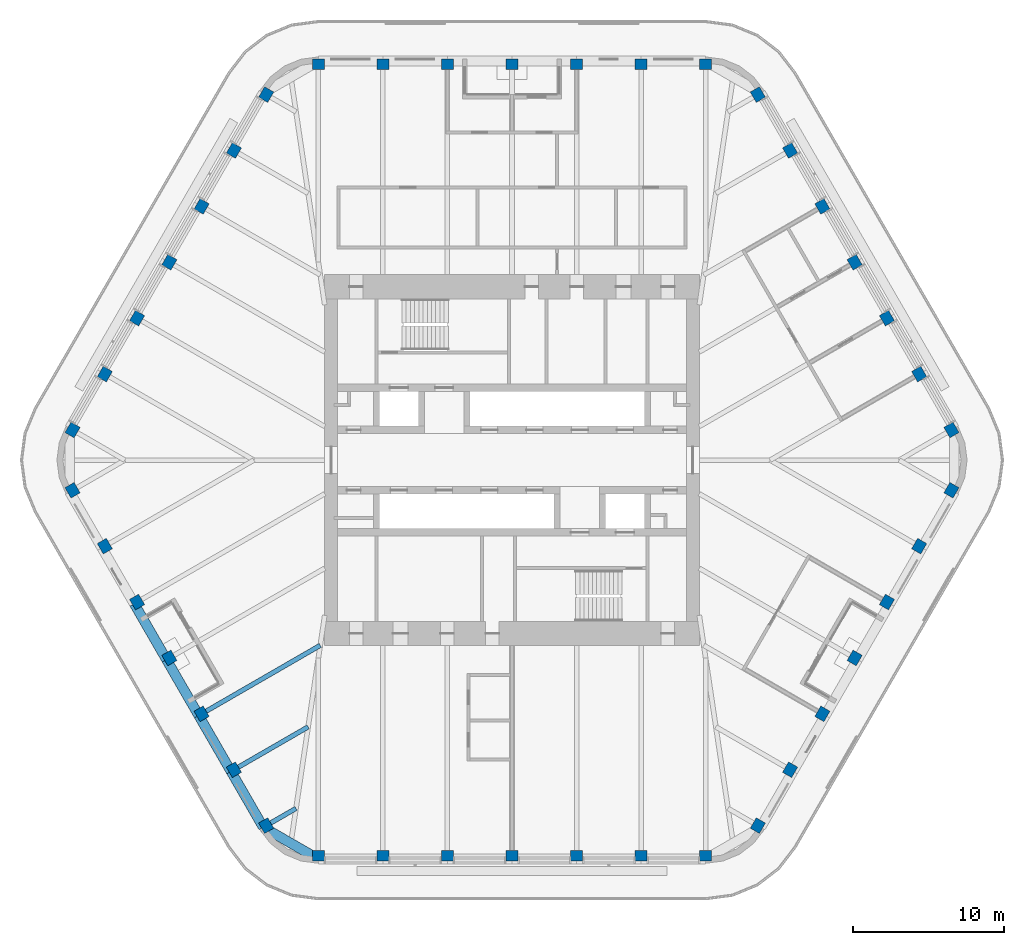
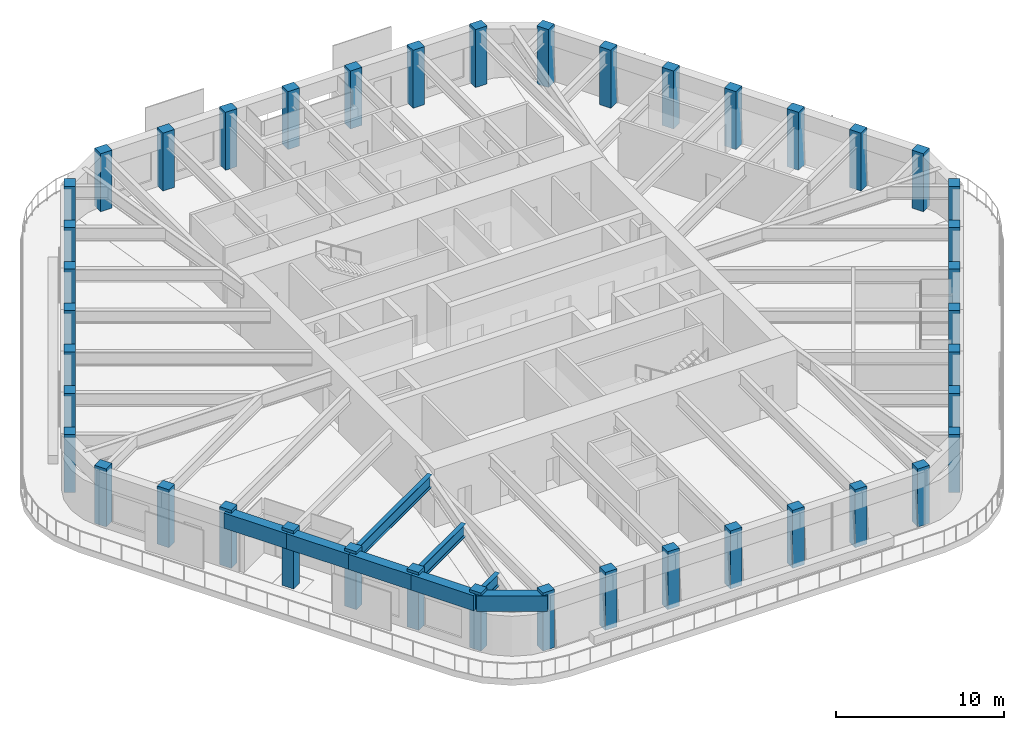
# One storey, part 1 of 19: 42 columns, 8 beams.
"""IFC4 building model written with IfcOpenShell, lengths in metres."""

from ifc_helpers import new_model, si_unit, direction, frame, origin, origin_2d, place, context, subcontext, project, spatial, rectangle, i_section, extrude, material, material_profile, profile_set, type_object, element, save


model = new_model("IFC4")

# Units and contexts
model_context = context("Model", 3, precision=1e-05, world=origin(), true_north=direction((0.0, 1.0)))
body_context = subcontext(model_context, "Body", "Model", "MODEL_VIEW")
ifc_project = project(units=[si_unit("LENGTHUNIT", "METRE"), si_unit("AREAUNIT", "SQUARE_METRE"), si_unit("VOLUMEUNIT", "CUBIC_METRE"), si_unit("PLANEANGLEUNIT", "RADIAN"), si_unit("MASSUNIT", "GRAM", prefix="KILO")], contexts=[model_context])

# Site, building, storey
site_placement = place(None, origin())
site = spatial("IfcSite", under=ifc_project, at=site_placement, CompositionType="ELEMENT")
building_placement = place(site_placement, origin())
building = spatial("IfcBuilding", under=site, at=building_placement, Name="Tarfa Lantern Tower", CompositionType="ELEMENT")
storey_placement = place(building_placement, frame((0.0, 0.0, 374.5)))
storey = spatial("IfcBuildingStorey", under=building, at=storey_placement, Name="L85", CompositionType="ELEMENT", Elevation=374.5)

# Columns
ifc_material_1 = material(Name="Concrete C80/95", Category="concrete")
ifc_material_profile_1 = material_profile(ifc_material_1, rectangle(XDim=0.800048828125, YDim=0.699951171875, at=origin_2d()), Name="RC 800x700")
ifc_profile_set_1 = profile_set([ifc_material_profile_1], Name="Concrete C80/95")
column_type = type_object("IfcColumnType", Name="TC16 RC 800x700", PredefinedType="COLUMN", material=ifc_profile_set_1)
for number, where, z_axis, x_axis, name in (
    (1, (29.15625, 2.0, 0.0), (0.0, 0.0, 1.0), (-0.5, 0.866025403784, 0.0), "Tube column NE0"),
    (2, (27.01513671875, 5.708251953125, 0.0), (0.0, 0.0, 1.0), (-0.5, 0.866025403784, 0.0), "Tube column NE1"),
    (3, (24.874267578125, 9.416748046875, 0.0), (0.0, 0.0, 1.0), (-0.5, 0.866025403784, 0.0), "Tube column NE2"),
    (4, (22.733154296875, 13.125, 0.0), (0.0, 0.0, 1.0), (-0.5, 0.866025403784, 0.0), "Tube column NE3"),
    (5, (20.592041015625, 16.833251953125, 0.0), (0.0, 0.0, 1.0), (-0.5, 0.866025403784, 0.0), "Tube column NE4"),
    (6, (18.451171875, 20.541748046875, 0.0), (0.0, 0.0, 1.0), (-0.5, 0.866025403784, 0.0), "Tube column NE5"),
    (7, (16.31005859375, 24.25, 0.0), (0.0, 0.0, 1.0), (-0.5, 0.866025403784, 0.0), "Tube column NE6"),
    (8, (12.845947265625, 26.25, 0.0), (0.0, 0.0, 1.0), (-1.0, 0.0, 0.0), "Tube column N0"),
    (9, (8.56396484375, 26.25, 0.0), (0.0, 0.0, 1.0), (-1.0, 0.0, 0.0), "Tube column N1"),
    (10, (4.281982421875, 26.25, 0.0), (0.0, 0.0, 1.0), (-1.0, 0.0, 0.0), "Tube column N2"),
    (11, (0.0, 26.25, 0.0), (0.0, 0.0, 1.0), (-1.0, 0.0, 0.0), "Tube column N3"),
    (12, (-4.281982421875, 26.25, 0.0), (0.0, 0.0, 1.0), (-1.0, 0.0, 0.0), "Tube column N4"),
    (13, (-8.56396484375, 26.25, 0.0), (0.0, 0.0, 1.0), (-1.0, 0.0, 0.0), "Tube column N5"),
    (14, (-12.845947265625, 26.25, 0.0), (0.0, 0.0, 1.0), (-1.0, 0.0, 0.0), "Tube column N6"),
    (15, (-16.31005859375, 24.25, 0.0), (0.0, 0.0, 1.0), (-0.5, -0.866025403784, 0.0), "Tube column NW0"),
    (16, (-18.451171875, 20.541748046875, 0.0), (0.0, 0.0, 1.0), (-0.5, -0.866025403784, 0.0), "Tube column NW1"),
    (17, (-20.592041015625, 16.833251953125, 0.0), (0.0, 0.0, 1.0), (-0.5, -0.866025403784, 0.0), "Tube column NW2"),
    (18, (-22.733154296875, 13.125, 0.0), (0.0, 0.0, 1.0), (-0.5, -0.866025403784, 0.0), "Tube column NW3"),
    (19, (-24.874267578125, 9.416748046875, 0.0), (0.0, 0.0, 1.0), (-0.5, -0.866025403784, 0.0), "Tube column NW4"),
    (20, (-27.01513671875, 5.708251953125, 0.0), (0.0, 0.0, 1.0), (-0.5, -0.866025403784, 0.0), "Tube column NW5"),
    (21, (-29.15625, 2.0, 0.0), (0.0, 0.0, 1.0), (-0.5, -0.866025403784, 0.0), "Tube column NW6"),
    (22, (-29.15625, -2.0, 0.0), (0.0, 0.0, 1.0), (0.5, -0.866025403784, 0.0), "Tube column SW0"),
    (23, (-27.01513671875, -5.708251953125, 0.0), (0.0, 0.0, 1.0), (0.5, -0.866025403784, 0.0), "Tube column SW1"),
    (24, (-24.874267578125, -9.416748046875, 0.0), (0.0, 0.0, 1.0), (0.5, -0.866025403784, 0.0), "Tube column SW2"),
    (25, (-22.733154296875, -13.125, 0.0), (0.0, 0.0, 1.0), (0.5, -0.866025403784, 0.0), "Tube column SW3"),
    (26, (-20.592041015625, -16.833251953125, 0.0), (0.0, 0.0, 1.0), (0.5, -0.866025403784, 0.0), "Tube column SW4"),
    (27, (-18.451171875, -20.541748046875, 0.0), (0.0, 0.0, 1.0), (0.5, -0.866025403784, 0.0), "Tube column SW5"),
    (28, (-16.31005859375, -24.25, 0.0), (0.0, 0.0, 1.0), (0.5, -0.866025403784, 0.0), "Tube column SW6"),
    (29, (-12.845947265625, -26.25, 0.0), (0.0, 0.0, 1.0), (1.0, 0.0, 0.0), "Tube column S0"),
    (30, (-8.56396484375, -26.25, 0.0), (0.0, 0.0, 1.0), (1.0, 0.0, 0.0), "Tube column S1"),
    (31, (-4.281982421875, -26.25, 0.0), (0.0, 0.0, 1.0), (1.0, 0.0, 0.0), "Tube column S2"),
    (32, (0.0, -26.25, 0.0), (0.0, 0.0, 1.0), (1.0, 0.0, 0.0), "Tube column S3"),
    (33, (4.281982421875, -26.25, 0.0), (0.0, 0.0, 1.0), (1.0, 0.0, 0.0), "Tube column S4"),
    (34, (8.56396484375, -26.25, 0.0), (0.0, 0.0, 1.0), (1.0, 0.0, 0.0), "Tube column S5"),
    (35, (12.845947265625, -26.25, 0.0), (0.0, 0.0, 1.0), (1.0, 0.0, 0.0), "Tube column S6"),
    (36, (16.31005859375, -24.25, 0.0), (0.0, 0.0, 1.0), (0.5, 0.866025403784, 0.0), "Tube column SE0"),
    (37, (18.451171875, -20.541748046875, 0.0), (0.0, 0.0, 1.0), (0.5, 0.866025403784, 0.0), "Tube column SE1"),
    (38, (20.592041015625, -16.833251953125, 0.0), (0.0, 0.0, 1.0), (0.5, 0.866025403784, 0.0), "Tube column SE2"),
    (39, (22.733154296875, -13.125, 0.0), (0.0, 0.0, 1.0), (0.5, 0.866025403784, 0.0), "Tube column SE3"),
    (40, (24.874267578125, -9.416748046875, 0.0), (0.0, 0.0, 1.0), (0.5, 0.866025403784, 0.0), "Tube column SE4"),
    (41, (27.01513671875, -5.708251953125, 0.0), (0.0, 0.0, 1.0), (0.5, 0.866025403784, 0.0), "Tube column SE5"),
    (42, (29.15625, -2.0, 0.0), (0.0, 0.0, 1.0), (0.5, 0.866025403784, 0.0), "Tube column SE6"),
):
    element("IfcColumn", number, at=place(storey_placement, frame(where, z_axis=z_axis, x_axis=x_axis)), inside=storey, type_object=column_type, Name=name, PredefinedType="COLUMN", context=body_context, shape_type="SweptSolid", body=[
        extrude(rectangle(XDim=0.800048828125, YDim=0.699951171875, at=origin_2d()), origin(), (0.0, 0.0, 1.0), 4.199951171875),
    ])

# Beams
ifc_material_profile_2 = material_profile(ifc_material_1, rectangle(XDim=0.64990234375, YDim=1.10009765625, at=origin_2d()), Name="RC 650x1100")
ifc_profile_set_2 = profile_set([ifc_material_profile_2], Name="Concrete C80/95")
beam_type_1 = type_object("IfcBeamType", Name="EB4 RC 650x1100", PredefinedType="SPANDREL", material=ifc_profile_set_2)
beam_1_placement = place(storey_placement, frame((-25.064697265625, -9.526611328125, 3.449951171875), z_axis=(0.500002112793, -0.866024183959, 0.0), x_axis=(0.866024183959, 0.500002112793, 0.0)))
element("IfcBeam", 43, at=beam_1_placement, inside=storey, type_object=beam_type_1, Name="Edge beam SW2", PredefinedType="SPANDREL", context=body_context, shape_type="SweptSolid", body=[
    extrude(rectangle(XDim=0.64990234375, YDim=1.10009765625, at=origin_2d()), origin(), (0.0, 0.0, 1.0), 4.2822265625),
])
for number, where, z_axis, x_axis, name in (
    (44, (-22.923583984375, -13.235107421875, 3.449951171875), (0.499984039138, -0.866034618596, 0.0), (0.866034618596, 0.499984039138, 0.0), "Edge beam SW3"),
    (45, (-20.78271484375, -16.943359375, 3.449951171875), (0.500026801138, -0.866009929587, 0.0), (0.866009929587, 0.500026801138, 0.0), "Edge beam SW4"),
    (46, (-18.6416015625, -20.651611328125, 3.449951171875), (0.499959351497, -0.866048870937, 0.0), (0.866048870937, 0.499959351497, 0.0), "Edge beam SW5"),
):
    element("IfcBeam", number, at=place(storey_placement, frame(where, z_axis=z_axis, x_axis=x_axis)), inside=storey, type_object=beam_type_1, Name=name, PredefinedType="SPANDREL", context=body_context, shape_type="SweptSolid", body=[
        extrude(rectangle(XDim=0.64990234375, YDim=1.10009765625, at=origin_2d()), origin(), (0.0, 0.0, 1.0), 4.281982421875),
    ])
beam_2_placement = place(storey_placement, frame((-16.500732421875, -24.360107421875, 3.449951171875), z_axis=(0.866048788483, -0.499959494327, 0.0), x_axis=(0.499959494327, 0.866048788483, 0.0)))
element("IfcBeam", 47, at=beam_2_placement, inside=storey, type_object=beam_type_1, Name="Edge beam SW6", PredefinedType="SPANDREL", context=body_context, shape_type="SweptSolid", body=[
    extrude(rectangle(XDim=0.64990234375, YDim=1.10009765625, at=origin_2d()), origin(), (0.0, 0.0, 1.0), 4.219970703125),
])
ifc_material_2 = material(Name="Steel S460M", Category="steel")
ifc_material_profile_3 = material_profile(ifc_material_2, i_section(OverallWidth=0.305419921875, OverallDepth=0.91845703125, WebThickness=0.017333984375, FlangeThickness=0.02783203125, FilletRadius=0.01904296875, at=origin_2d()), Name="UB914x305x253")
ifc_profile_set_3 = profile_set([ifc_material_profile_3], Name="Steel S460M")
beam_type_2 = type_object("IfcBeamType", Name="UB914x305x253", PredefinedType="BEAM", material=ifc_profile_set_3)
beam_3_placement = place(storey_placement, frame((-20.78271484375, -16.943359375, 3.540771484375), z_axis=(0.866021806508, 0.500006230613, 0.0), x_axis=(-0.500006230613, 0.866021806508, 0.0)))
element("IfcBeam", 48, at=beam_3_placement, inside=storey, type_object=beam_type_2, Name="Floor beam SW4", PredefinedType="BEAM", context=body_context, shape_type="SweptSolid", body=[
    extrude(i_section(OverallWidth=0.305419921875, OverallDepth=0.91845703125, WebThickness=0.017333984375, FlangeThickness=0.02783203125, FilletRadius=0.01904296875, at=origin_2d()), origin(), (0.0, 0.0, 1.0), 9.30908203125),
])
beam_4_placement = place(storey_placement, frame((-18.6416015625, -20.651611328125, 3.540771484375), z_axis=(0.866024549157, 0.500001480256, 0.0), x_axis=(-0.500001480256, 0.866024549157, 0.0)))
element("IfcBeam", 49, at=beam_4_placement, inside=storey, type_object=beam_type_2, Name="Floor beam SW5", PredefinedType="BEAM", context=body_context, shape_type="SweptSolid", body=[
    extrude(i_section(OverallWidth=0.305419921875, OverallDepth=0.91845703125, WebThickness=0.017333984375, FlangeThickness=0.02783203125, FilletRadius=0.01904296875, at=origin_2d()), origin(), (0.0, 0.0, 1.0), 5.90771484375),
])
beam_5_placement = place(storey_placement, frame((-16.500732421875, -24.360107421875, 3.540771484375), z_axis=(0.865992557167, 0.500056887695, 0.0), x_axis=(-0.500056887695, 0.865992557167, 0.0)))
element("IfcBeam", 50, at=beam_5_placement, inside=storey, type_object=beam_type_2, Name="Floor beam SW6", PredefinedType="BEAM", context=body_context, shape_type="SweptSolid", body=[
    extrude(i_section(OverallWidth=0.305419921875, OverallDepth=0.91845703125, WebThickness=0.017333984375, FlangeThickness=0.02783203125, FilletRadius=0.01904296875, at=origin_2d()), origin(), (0.0, 0.0, 1.0), 2.506591796875),
])

save(model, "model.ifc")
